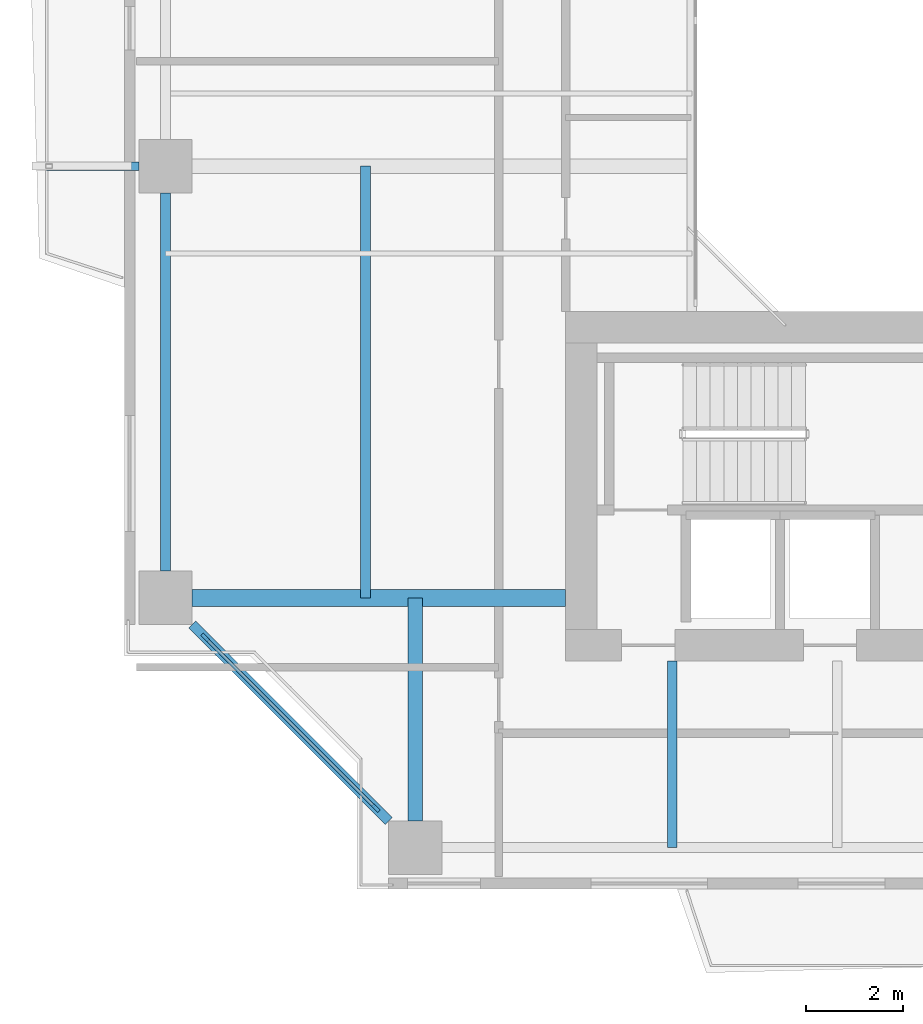
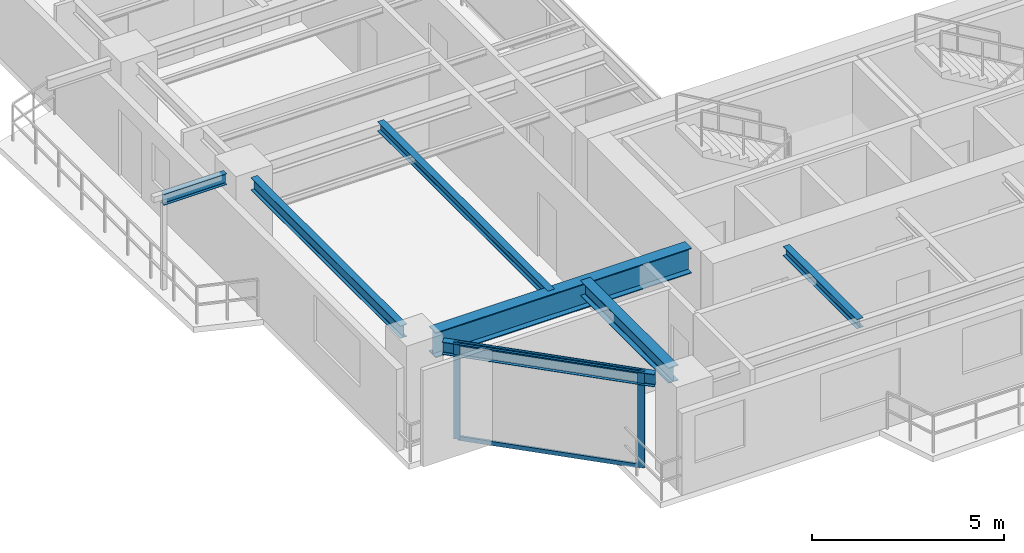
# One storey, part 2 of 17: 7 beams, 4 members, 1 element without a shape of its own.
"""IFC4 building model written with IfcOpenShell, lengths in metres."""

from ifc_helpers import new_model, si_unit, direction, frame, origin, origin_2d, place, context, subcontext, project, spatial, rectangle, i_section, extrude, source, transform, mapped, material, layer, layer_set, material_profile, profile_set, type_object, element, aggregate, save


model = new_model("IFC4")

# Units and contexts
model_context = context("Model", 3, precision=1e-05, world=origin(), true_north=direction((0.0, 1.0)))
body_context = subcontext(model_context, "Body", "Model", "MODEL_VIEW")
ifc_project = project(units=[si_unit("LENGTHUNIT", "METRE"), si_unit("AREAUNIT", "SQUARE_METRE"), si_unit("VOLUMEUNIT", "CUBIC_METRE"), si_unit("PLANEANGLEUNIT", "RADIAN"), si_unit("MASSUNIT", "GRAM", prefix="KILO"), si_unit("THERMODYNAMICTEMPERATUREUNIT", "KELVIN"), si_unit("POWERUNIT", "WATT")], contexts=[model_context])

# Site, building, storey
site_placement = place(None, origin())
site = spatial("IfcSite", under=ifc_project, at=site_placement, CompositionType="ELEMENT")
building_placement = place(site_placement, origin())
building = spatial("IfcBuilding", under=site, at=building_placement, Name="Qiaomeng Ring Towers", CompositionType="ELEMENT")
storey_placement = place(building_placement, frame((0.0, 0.0, 132.75)))
storey = spatial("IfcBuildingStorey", under=building, at=storey_placement, Name="L38", CompositionType="ELEMENT", Elevation=132.75)

# Beams
ifc_material_1 = material(Name="Steel Q355B", Category="steel")
ifc_material_profile_1 = material_profile(ifc_material_1, i_section(OverallWidth=0.199951171875, OverallDepth=0.39990234375, WebThickness=0.008056640625, FlangeThickness=0.012939453125, FilletRadius=0.01611328125, at=origin_2d()), Name="HN 400x200x8x13")
ifc_profile_set_1 = profile_set([ifc_material_profile_1], Name="Steel Q355B")
beam_type_1 = type_object("IfcBeamType", Name="STR-BM-HN400", PredefinedType="SPANDREL", material=ifc_profile_set_1)
shared_shape_1 = source(origin(), body_context, "Body", "SweptSolid", [
    extrude(i_section(OverallWidth=0.199951171875, OverallDepth=0.39990234375, WebThickness=0.008056640625, FlangeThickness=0.012939453125, FilletRadius=0.01611328125, at=origin_2d()), origin(), (0.0, 0.0, 1.0), 5.729736328125),
])
beam_1_placement = place(storey_placement, frame((2.499267578125, 10.55078125, 2.8701171875), z_axis=(0.707106781187, -0.707106781187, 0.0), x_axis=(0.707106781187, 0.707106781187, 0.0)))
element("IfcBeam", 1, at=beam_1_placement, inside=storey, type_object=beam_type_1, Name="L38 beam STR-SP-L38-T1-W1-S1", PredefinedType="SPANDREL", context=body_context, shape_type="MappedRepresentation", body=[
    mapped(shared_shape_1, transform((0.0, 0.0, 0.0), x_axis=(1.0, 0.0, 0.0), y_axis=(0.0, 1.0, 0.0), z_axis=(0.0, 0.0, 1.0), scale=1.0)),
])
shared_shape_2 = source(origin(), body_context, "Body", "SweptSolid", [
    extrude(i_section(OverallWidth=0.199951171875, OverallDepth=0.39990234375, WebThickness=0.008056640625, FlangeThickness=0.012939453125, FilletRadius=0.01611328125, at=origin_2d()), origin(), (0.0, 0.0, 1.0), 7.802001953125),
])
beam_2_placement = place(storey_placement, frame((1.949951171875, 19.450927734375, 2.8701171875), z_axis=(0.0, -1.0, 0.0), x_axis=(1.0, 0.0, 0.0)))
element("IfcBeam", 2, at=beam_2_placement, inside=storey, type_object=beam_type_1, Name="L38 beam STR-SP-L38-T1-W2-W1", PredefinedType="SPANDREL", context=body_context, shape_type="MappedRepresentation", body=[
    mapped(shared_shape_2, transform((0.0, 0.0, 0.0), x_axis=(1.0, 0.0, 0.0), y_axis=(0.0, 1.0, 0.0), z_axis=(0.0, 0.0, 1.0), scale=1.0)),
])
ifc_material_2 = material(Name="Steel Q390GJC", Category="steel")
ifc_material_profile_2 = material_profile(ifc_material_2, i_section(OverallWidth=0.35009765625, OverallDepth=0.800048828125, WebThickness=0.01611328125, FlangeThickness=0.028076171875, at=origin_2d()), Name="WH 800x350x16x28")
ifc_profile_set_2 = profile_set([ifc_material_profile_2], Name="Steel Q390GJC")
beam_type_2 = type_object("IfcBeamType", Name="STR-BM-WH800", PredefinedType="BEAM", material=ifc_profile_set_2)
shared_shape_3 = source(origin(), body_context, "Body", "SweptSolid", [
    extrude(i_section(OverallWidth=0.35009765625, OverallDepth=0.800048828125, WebThickness=0.01611328125, FlangeThickness=0.028076171875, at=origin_2d()), origin(), (0.0, 0.0, 1.0), 7.700927734375),
])
beam_3_placement = place(storey_placement, frame((2.4990234375, 11.10009765625, 2.669921875), z_axis=(1.0, 0.0, 0.0), x_axis=(0.0, 1.0, 0.0)))
element("IfcBeam", 3, at=beam_3_placement, inside=storey, type_object=beam_type_2, Name="L38 beam STR-BM-L38-T1-RAD-W1", PredefinedType="BEAM", context=body_context, shape_type="MappedRepresentation", body=[
    mapped(shared_shape_3, transform((0.0, 0.0, 0.0), x_axis=(1.0, 0.0, 0.0), y_axis=(0.0, 1.0, 0.0), z_axis=(0.0, 0.0, 1.0), scale=1.0)),
])
ifc_material_profile_3 = material_profile(ifc_material_1, i_section(OverallWidth=0.300048828125, OverallDepth=0.488037109375, WebThickness=0.010986328125, FlangeThickness=0.01806640625, FilletRadius=0.02587890625, at=origin_2d()), Name="HM 488x300x11x18")
ifc_profile_set_3 = profile_set([ifc_material_profile_3], Name="Steel Q355B")
beam_type_3 = type_object("IfcBeamType", Name="STR-BM-HM488", PredefinedType="BEAM", material=ifc_profile_set_3)
shared_shape_4 = source(origin(), body_context, "Body", "SweptSolid", [
    extrude(i_section(OverallWidth=0.300048828125, OverallDepth=0.488037109375, WebThickness=0.010986328125, FlangeThickness=0.01806640625, FilletRadius=0.02587890625, at=origin_2d()), origin(), (0.0, 0.0, 1.0), 4.60107421875),
])
beam_4_placement = place(storey_placement, frame((7.10009765625, 6.4990234375, 2.825927734375), z_axis=(0.0, 1.0, 0.0), x_axis=(-1.0, 0.0, 0.0)))
element("IfcBeam", 4, at=beam_4_placement, inside=storey, type_object=beam_type_3, Name="L38 beam STR-BM-L38-T1-RAD-S1", PredefinedType="BEAM", context=body_context, shape_type="MappedRepresentation", body=[
    mapped(shared_shape_4, transform((0.0, 0.0, 0.0), x_axis=(1.0, 0.0, 0.0), y_axis=(0.0, 1.0, 0.0), z_axis=(0.0, 0.0, 1.0), scale=1.0)),
])
ifc_material_profile_4 = material_profile(ifc_material_1, i_section(OverallWidth=0.199951171875, OverallDepth=0.2939453125, WebThickness=0.008056640625, FlangeThickness=0.011962890625, FilletRadius=0.01806640625, at=origin_2d()), Name="HM 294x200x8x12")
ifc_profile_set_4 = profile_set([ifc_material_profile_4], Name="Steel Q355B")
beam_type_4 = type_object("IfcBeamType", Name="STR-BM-HM294", PredefinedType="JOIST", material=ifc_profile_set_4)
shared_shape_5 = source(origin(), body_context, "Body", "SweptSolid", [
    extrude(i_section(OverallWidth=0.199951171875, OverallDepth=0.2939453125, WebThickness=0.008056640625, FlangeThickness=0.011962890625, FilletRadius=0.01806640625, at=origin_2d()), origin(), (0.0, 0.0, 1.0), 3.85009765625),
])
beam_5_placement = place(storey_placement, frame((12.39990234375, 5.949951171875, 2.923095703125), z_axis=(0.0, 1.0, 0.0), x_axis=(-1.0, 0.0, 0.0)))
element("IfcBeam", 5, at=beam_5_placement, inside=storey, type_object=beam_type_4, Name="L38 beam STR-JST-L38-T1S-1", PredefinedType="JOIST", context=body_context, shape_type="MappedRepresentation", body=[
    mapped(shared_shape_5, transform((0.0, 0.0, 0.0), x_axis=(1.0, 0.0, 0.0), y_axis=(0.0, 1.0, 0.0), z_axis=(0.0, 0.0, 1.0), scale=1.0)),
])
shared_shape_6 = source(origin(), body_context, "Body", "SweptSolid", [
    extrude(i_section(OverallWidth=0.199951171875, OverallDepth=0.2939453125, WebThickness=0.008056640625, FlangeThickness=0.011962890625, FilletRadius=0.01806640625, at=origin_2d()), origin(), (0.0, 0.0, 1.0), 8.89990234375),
])
beam_6_placement = place(storey_placement, frame((6.074951171875, 11.10009765625, 2.923095703125), z_axis=(0.0, 1.0, 0.0), x_axis=(-1.0, 0.0, 0.0)))
element("IfcBeam", 6, at=beam_6_placement, inside=storey, type_object=beam_type_4, Name="L38 beam STR-JST-L38-T1C-WS", PredefinedType="JOIST", context=body_context, shape_type="MappedRepresentation", body=[
    mapped(shared_shape_6, transform((0.0, 0.0, 0.0), x_axis=(1.0, 0.0, 0.0), y_axis=(0.0, 1.0, 0.0), z_axis=(0.0, 0.0, 1.0), scale=1.0)),
])
ifc_material_profile_5 = material_profile(ifc_material_1, i_section(OverallWidth=0.175048828125, OverallDepth=0.35009765625, WebThickness=0.007080078125, FlangeThickness=0.010986328125, FilletRadius=0.013916015625, at=origin_2d()), Name="HN 350x175x7x11")
ifc_profile_set_5 = profile_set([ifc_material_profile_5], Name="Steel Q355B")
beam_type_5 = type_object("IfcBeamType", Name="STR-BM-HN350", PredefinedType="JOIST", material=ifc_profile_set_5)
shared_shape_7 = source(origin(), body_context, "Body", "SweptSolid", [
    extrude(i_section(OverallWidth=0.175048828125, OverallDepth=0.35009765625, WebThickness=0.007080078125, FlangeThickness=0.010986328125, FilletRadius=0.013916015625, at=origin_2d()), origin(), (0.0, 0.0, 1.0), 1.90087890625),
])
beam_7_placement = place(storey_placement, frame((-0.5, 20.0, 2.89501953125), z_axis=(1.0, 0.0, 0.0), x_axis=(0.0, 1.0, 0.0)))
element("IfcBeam", 7, at=beam_7_placement, inside=storey, type_object=beam_type_5, Name="L38 beam STR-BALBM-L38-W2", PredefinedType="JOIST", context=body_context, shape_type="MappedRepresentation", body=[
    mapped(shared_shape_7, transform((0.0, 0.0, 0.0), x_axis=(1.0, 0.0, 0.0), y_axis=(0.0, 1.0, 0.0), z_axis=(0.0, 0.0, 1.0), scale=1.0)),
])

# Curtain wall, members
ifc_material_3 = material(Name="Fluorocarbon dark-grey aluminium", Category="aluminium")
ifc_layer = layer(ifc_material_3, 0.14990234375, Name="Fluorocarbon dark-grey aluminium")
ifc_layer_set = layer_set([ifc_layer], Name="Fluorocarbon dark-grey aluminium")
curtain_wall_type = type_object("IfcCurtainWallType", Name="ARC-CW-3", PredefinedType="NOTDEFINED", material=ifc_layer_set)
curtain_wall_placement = place(storey_placement, origin())
curtain_wall = element("IfcCurtainWall", 8, at=curtain_wall_placement, inside=storey, type_object=curtain_wall_type, Name="L38 Curtain Wall CW3", PredefinedType="NOTDEFINED")
ifc_material_profile_6 = material_profile(ifc_material_3, rectangle(XDim=0.070068359375, YDim=0.179931640625, at=origin_2d()), Name="ALU MULL 70x180")
ifc_profile_set_6 = profile_set([ifc_material_profile_6], Name="Fluorocarbon dark-grey aluminium")
member_type_1 = type_object("IfcMemberType", Name="ARC-CWM-160", PredefinedType="MULLION", material=ifc_profile_set_6)
shared_shape_8 = source(origin(), body_context, "Body", "SweptSolid", [
    extrude(rectangle(XDim=0.070068359375, YDim=0.179931640625, at=origin_2d()), origin(), (0.0, 0.0, 1.0), 3.070068359375),
])
member_1_placement = place(storey_placement, frame((2.7646484375, 10.28515625, 0.0), z_axis=(0.0, 0.0, 1.0), x_axis=(0.707106781187, 0.707106781187, 0.0)))
member_1 = element("IfcMember", 9, at=member_1_placement, type_object=member_type_1, Name="CW3 mullion 1", PredefinedType="MULLION", context=body_context, shape_type="MappedRepresentation", body=[
    mapped(shared_shape_8, transform((0.0, 0.0, 0.0), x_axis=(1.0, 0.0, 0.0), y_axis=(0.0, 1.0, 0.0), z_axis=(0.0, 0.0, 1.0), scale=1.0)),
])
member_2_placement = place(storey_placement, frame((6.28515625, 6.7646484375, 0.0), z_axis=(0.0, 0.0, 1.0), x_axis=(0.707106781187, 0.707106781187, 0.0)))
member_2 = element("IfcMember", 10, at=member_2_placement, type_object=member_type_1, Name="CW3 mullion 2", PredefinedType="MULLION", context=body_context, shape_type="MappedRepresentation", body=[
    mapped(shared_shape_8, transform((0.0, 0.0, 0.0), x_axis=(1.0, 0.0, 0.0), y_axis=(0.0, 1.0, 0.0), z_axis=(0.0, 0.0, 1.0), scale=1.0)),
])
ifc_material_profile_7 = material_profile(ifc_material_3, rectangle(XDim=0.06494140625, YDim=0.1298828125, at=origin_2d()), Name="ALU TRAN 65x130")
ifc_profile_set_7 = profile_set([ifc_material_profile_7], Name="Fluorocarbon dark-grey aluminium")
member_type_2 = type_object("IfcMemberType", Name="ARC-CWT-120", PredefinedType="USERDEFINED", material=ifc_profile_set_7)
shared_shape_9 = source(origin(), body_context, "Body", "SweptSolid", [
    extrude(rectangle(XDim=0.06494140625, YDim=0.1298828125, at=origin_2d()), origin(), (0.0, 0.0, 1.0), 4.90869140625),
])
member_3_placement = place(storey_placement, frame((2.78955078125, 10.260498046875, 0.032470703125), z_axis=(0.707106781187, -0.707106781187, 0.0), x_axis=(0.707106781187, 0.707106781187, 0.0)))
member_3 = element("IfcMember", 11, at=member_3_placement, type_object=member_type_2, Name="CW3 transom 1.1", ObjectType="TRANSOM", PredefinedType="USERDEFINED", context=body_context, shape_type="MappedRepresentation", body=[
    mapped(shared_shape_9, transform((0.0, 0.0, 0.0), x_axis=(1.0, 0.0, 0.0), y_axis=(0.0, 1.0, 0.0), z_axis=(0.0, 0.0, 1.0), scale=1.0)),
])
member_4_placement = place(storey_placement, frame((2.78955078125, 10.260498046875, 3.03759765625), z_axis=(0.707106781187, -0.707106781187, 0.0), x_axis=(0.707106781187, 0.707106781187, 0.0)))
member_4 = element("IfcMember", 12, at=member_4_placement, type_object=member_type_2, Name="CW3 transom 1.2", ObjectType="TRANSOM", PredefinedType="USERDEFINED", context=body_context, shape_type="MappedRepresentation", body=[
    mapped(shared_shape_9, transform((0.0, 0.0, 0.0), x_axis=(1.0, 0.0, 0.0), y_axis=(0.0, 1.0, 0.0), z_axis=(0.0, 0.0, 1.0), scale=1.0)),
])
aggregate(curtain_wall, [member_1, member_2, member_3, member_4])

save(model, "model.ifc")
